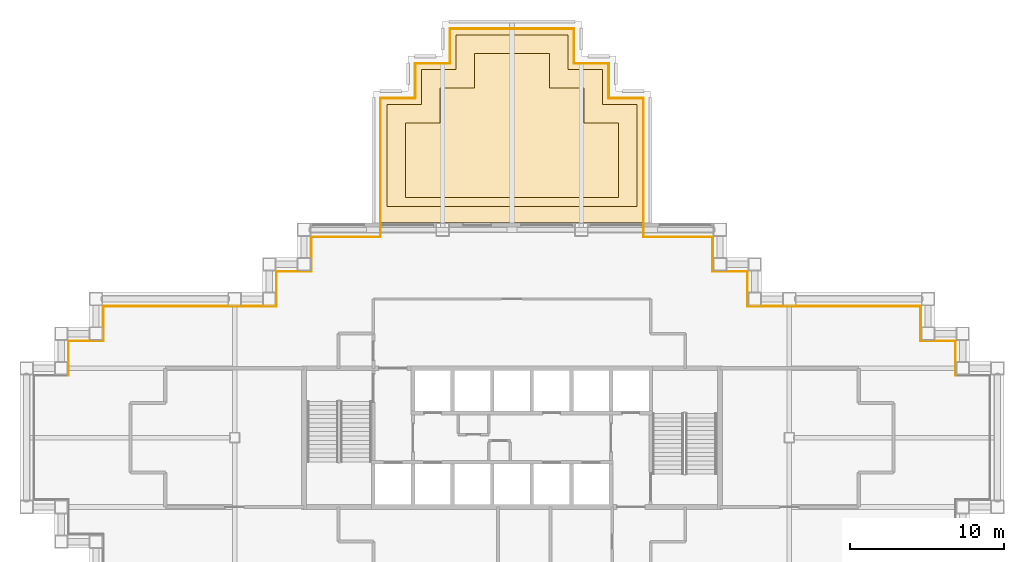
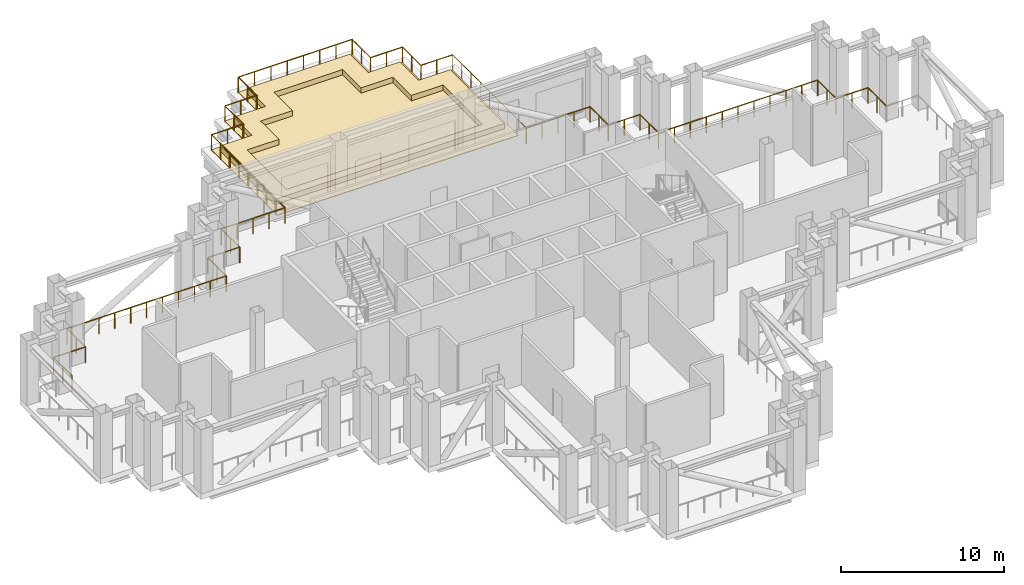
# One storey, part 10 of 10: 27 railings, 3 coverings.
"""IFC4 building model written with IfcOpenShell, lengths in metres."""

from ifc_helpers import new_model, si_unit, direction, frame, origin, origin_2d, place, context, subcontext, project, spatial, polyline, circle, outline, extrude, material, layer, layer_set, type_object, element, save


model = new_model("IFC4")

# Units and contexts
model_context = context("Model", 3, precision=1e-05, world=origin(), true_north=direction((0.0, 1.0)))
body_context = subcontext(model_context, "Body", "Model", "MODEL_VIEW")
ifc_project = project(units=[si_unit("LENGTHUNIT", "METRE"), si_unit("AREAUNIT", "SQUARE_METRE"), si_unit("VOLUMEUNIT", "CUBIC_METRE"), si_unit("PLANEANGLEUNIT", "RADIAN"), si_unit("MASSUNIT", "GRAM", prefix="KILO")], contexts=[model_context])

# Site, building, storey
site_placement = place(None, origin())
site = spatial("IfcSite", under=ifc_project, at=site_placement, CompositionType="ELEMENT")
building_placement = place(site_placement, origin())
building = spatial("IfcBuilding", under=site, at=building_placement, Name="Caravel Reach Hotel and Residences", CompositionType="ELEMENT")
storey_placement = place(building_placement, frame((0.0, 0.0, 140.39990234375)))
storey = spatial("IfcBuildingStorey", under=building, at=storey_placement, Name="L35", CompositionType="ELEMENT", Elevation=140.39990234375)

# Railings
ifc_material_1 = material(Name="Stainless steel S30408", Category="steel")
railing_type = type_object("IfcRailingType", Name="G1 Guard 1200 stainless", PredefinedType="GUARDRAIL", material=ifc_material_1)
railing_1_placement = place(storey_placement, frame((44.52490234375, 40.02490234375, 0.0)))
element("IfcRailing", 1, at=railing_1_placement, inside=storey, type_object=railing_type, Name="Guard L35 1 run 1", PredefinedType="GUARDRAIL", context=body_context, shape_type="SweptSolid", body=[
    extrude(circle(Radius=0.02392578125, at=origin_2d()), frame((0.0, 0.0, 1.17578125), z_axis=(-1.0, 0.0, 0.0), x_axis=(0.0, -1.0, 0.0)), (0.0, 0.0, 1.0), 4.5),
    extrude(circle(Radius=0.02099609375, at=origin_2d()), origin(), (0.0, 0.0, 1.0), 1.15185546875),
    extrude(circle(Radius=0.02099609375, at=origin_2d()), frame((-1.125, 0.0, 0.0)), (0.0, 0.0, 1.0), 1.15185546875),
    extrude(circle(Radius=0.02099609375, at=origin_2d()), frame((-2.25, 0.0, 0.0)), (0.0, 0.0, 1.0), 1.15185546875),
    extrude(circle(Radius=0.02099609375, at=origin_2d()), frame((-3.375, 0.0, 0.0)), (0.0, 0.0, 1.0), 1.15185546875),
    extrude(circle(Radius=0.02099609375, at=origin_2d()), frame((-4.5, 0.0, 0.0)), (0.0, 0.0, 1.0), 1.15185546875),
])
railing_2_placement = place(storey_placement, frame((40.02490234375, 40.02490234375, 0.0)))
element("IfcRailing", 2, at=railing_2_placement, inside=storey, type_object=railing_type, Name="Guard L35 1 run 2", PredefinedType="GUARDRAIL", context=body_context, shape_type="SweptSolid", body=[
    extrude(circle(Radius=0.02392578125, at=origin_2d()), frame((0.0, 0.0, 1.17578125), z_axis=(0.0, 1.0, 0.0), x_axis=(-1.0, 0.0, 0.0)), (0.0, 0.0, 1.0), 9.0),
    extrude(circle(Radius=0.02099609375, at=origin_2d()), frame((0.0, 1.125, 0.0)), (0.0, 0.0, 1.0), 1.15185546875),
    extrude(circle(Radius=0.02099609375, at=origin_2d()), frame((0.0, 2.25, 0.0)), (0.0, 0.0, 1.0), 1.15185546875),
    extrude(circle(Radius=0.02099609375, at=origin_2d()), frame((0.0, 3.375, 0.0)), (0.0, 0.0, 1.0), 1.15185546875),
    extrude(circle(Radius=0.02099609375, at=origin_2d()), frame((0.0, 4.5, 0.0)), (0.0, 0.0, 1.0), 1.15185546875),
    extrude(circle(Radius=0.02099609375, at=origin_2d()), frame((0.0, 5.625, 0.0)), (0.0, 0.0, 1.0), 1.15185546875),
    extrude(circle(Radius=0.02099609375, at=origin_2d()), frame((0.0, 6.75, 0.0)), (0.0, 0.0, 1.0), 1.15185546875),
    extrude(circle(Radius=0.02099609375, at=origin_2d()), frame((0.0, 7.875, 0.0)), (0.0, 0.0, 1.0), 1.15185546875),
    extrude(circle(Radius=0.02099609375, at=origin_2d()), frame((0.0, 9.0, 0.0)), (0.0, 0.0, 1.0), 1.15185546875),
])
railing_3_placement = place(storey_placement, frame((40.02490234375, 49.02490234375, 0.0)))
element("IfcRailing", 3, at=railing_3_placement, inside=storey, type_object=railing_type, Name="Guard L35 1 run 3", PredefinedType="GUARDRAIL", context=body_context, shape_type="SweptSolid", body=[
    extrude(circle(Radius=0.02392578125, at=origin_2d()), frame((0.0, 0.0, 1.17578125), z_axis=(-1.0, 0.0, 0.0), x_axis=(0.0, -1.0, 0.0)), (0.0, 0.0, 1.0), 2.25),
    extrude(circle(Radius=0.02099609375, at=origin_2d()), frame((-1.125, 0.0, 0.0)), (0.0, 0.0, 1.0), 1.15185546875),
    extrude(circle(Radius=0.02099609375, at=origin_2d()), frame((-2.25, 0.0, 0.0)), (0.0, 0.0, 1.0), 1.15185546875),
])
railing_4_placement = place(storey_placement, frame((37.77490234375, 49.02490234375, 0.0)))
element("IfcRailing", 4, at=railing_4_placement, inside=storey, type_object=railing_type, Name="Guard L35 1 run 4", PredefinedType="GUARDRAIL", context=body_context, shape_type="SweptSolid", body=[
    extrude(circle(Radius=0.02392578125, at=origin_2d()), frame((0.0, 0.0, 1.17578125), z_axis=(0.0, 1.0, 0.0), x_axis=(-1.0, 0.0, 0.0)), (0.0, 0.0, 1.0), 2.25),
    extrude(circle(Radius=0.02099609375, at=origin_2d()), frame((0.0, 1.125, 0.0)), (0.0, 0.0, 1.0), 1.15185546875),
    extrude(circle(Radius=0.02099609375, at=origin_2d()), frame((0.0, 2.25, 0.0)), (0.0, 0.0, 1.0), 1.15185546875),
])
railing_5_placement = place(storey_placement, frame((37.77490234375, 51.27490234375, 0.0)))
element("IfcRailing", 5, at=railing_5_placement, inside=storey, type_object=railing_type, Name="Guard L35 1 run 5", PredefinedType="GUARDRAIL", context=body_context, shape_type="SweptSolid", body=[
    extrude(circle(Radius=0.02392578125, at=origin_2d()), frame((0.0, 0.0, 1.17578125), z_axis=(-1.0, 0.0, 0.0), x_axis=(0.0, -1.0, 0.0)), (0.0, 0.0, 1.0), 2.25),
    extrude(circle(Radius=0.02099609375, at=origin_2d()), frame((-1.125, 0.0, 0.0)), (0.0, 0.0, 1.0), 1.15185546875),
    extrude(circle(Radius=0.02099609375, at=origin_2d()), frame((-2.25, 0.0, 0.0)), (0.0, 0.0, 1.0), 1.15185546875),
])
railing_6_placement = place(storey_placement, frame((35.52490234375, 51.27490234375, 0.0)))
element("IfcRailing", 6, at=railing_6_placement, inside=storey, type_object=railing_type, Name="Guard L35 1 run 6", PredefinedType="GUARDRAIL", context=body_context, shape_type="SweptSolid", body=[
    extrude(circle(Radius=0.02392578125, at=origin_2d()), frame((0.0, 0.0, 1.17578125), z_axis=(0.0, 1.0, 0.0), x_axis=(-1.0, 0.0, 0.0)), (0.0, 0.0, 1.0), 2.25),
    extrude(circle(Radius=0.02099609375, at=origin_2d()), frame((0.0, 1.125, 0.0)), (0.0, 0.0, 1.0), 1.15185546875),
    extrude(circle(Radius=0.02099609375, at=origin_2d()), frame((0.0, 2.25, 0.0)), (0.0, 0.0, 1.0), 1.15185546875),
])
railing_7_placement = place(storey_placement, frame((35.52490234375, 53.52490234375, 0.0)))
element("IfcRailing", 7, at=railing_7_placement, inside=storey, type_object=railing_type, Name="Guard L35 1 run 7", PredefinedType="GUARDRAIL", context=body_context, shape_type="SweptSolid", body=[
    extrude(circle(Radius=0.02392578125, at=origin_2d()), frame((0.0, 0.0, 1.17578125), z_axis=(-1.0, 0.0, 0.0), x_axis=(0.0, -1.0, 0.0)), (0.0, 0.0, 1.0), 8.0498046875),
    extrude(circle(Radius=0.02099609375, at=origin_2d()), frame((-1.14990234375, 0.0, 0.0)), (0.0, 0.0, 1.0), 1.15185546875),
    extrude(circle(Radius=0.02099609375, at=origin_2d()), frame((-2.300048828125, 0.0, 0.0)), (0.0, 0.0, 1.0), 1.15185546875),
    extrude(circle(Radius=0.02099609375, at=origin_2d()), frame((-3.449951171875, 0.0, 0.0)), (0.0, 0.0, 1.0), 1.15185546875),
    extrude(circle(Radius=0.02099609375, at=origin_2d()), frame((-4.599853515625, 0.0, 0.0)), (0.0, 0.0, 1.0), 1.15185546875),
    extrude(circle(Radius=0.02099609375, at=origin_2d()), frame((-5.749755859375, 0.0, 0.0)), (0.0, 0.0, 1.0), 1.15185546875),
    extrude(circle(Radius=0.02099609375, at=origin_2d()), frame((-6.89990234375, 0.0, 0.0)), (0.0, 0.0, 1.0), 1.15185546875),
    extrude(circle(Radius=0.02099609375, at=origin_2d()), frame((-8.0498046875, 0.0, 0.0)), (0.0, 0.0, 1.0), 1.15185546875),
])
railing_8_placement = place(storey_placement, frame((27.47509765625, 53.52490234375, 0.0)))
element("IfcRailing", 8, at=railing_8_placement, inside=storey, type_object=railing_type, Name="Guard L35 1 run 8", PredefinedType="GUARDRAIL", context=body_context, shape_type="SweptSolid", body=[
    extrude(circle(Radius=0.02392578125, at=origin_2d()), frame((0.0, 0.0, 1.17578125), z_axis=(0.0, -1.0, 0.0), x_axis=(1.0, 0.0, 0.0)), (0.0, 0.0, 1.0), 2.25),
    extrude(circle(Radius=0.02099609375, at=origin_2d()), frame((0.0, -1.125, 0.0)), (0.0, 0.0, 1.0), 1.15185546875),
    extrude(circle(Radius=0.02099609375, at=origin_2d()), frame((0.0, -2.25, 0.0)), (0.0, 0.0, 1.0), 1.15185546875),
])
railing_9_placement = place(storey_placement, frame((27.47509765625, 51.27490234375, 0.0)))
element("IfcRailing", 9, at=railing_9_placement, inside=storey, type_object=railing_type, Name="Guard L35 1 run 9", PredefinedType="GUARDRAIL", context=body_context, shape_type="SweptSolid", body=[
    extrude(circle(Radius=0.02392578125, at=origin_2d()), frame((0.0, 0.0, 1.17578125), z_axis=(-1.0, 0.0, 0.0), x_axis=(0.0, -1.0, 0.0)), (0.0, 0.0, 1.0), 2.25),
    extrude(circle(Radius=0.02099609375, at=origin_2d()), frame((-1.125, 0.0, 0.0)), (0.0, 0.0, 1.0), 1.15185546875),
    extrude(circle(Radius=0.02099609375, at=origin_2d()), frame((-2.25, 0.0, 0.0)), (0.0, 0.0, 1.0), 1.15185546875),
])
railing_10_placement = place(storey_placement, frame((25.22509765625, 51.27490234375, 0.0)))
element("IfcRailing", 10, at=railing_10_placement, inside=storey, type_object=railing_type, Name="Guard L35 1 run 10", PredefinedType="GUARDRAIL", context=body_context, shape_type="SweptSolid", body=[
    extrude(circle(Radius=0.02392578125, at=origin_2d()), frame((0.0, 0.0, 1.17578125), z_axis=(0.0, -1.0, 0.0), x_axis=(1.0, 0.0, 0.0)), (0.0, 0.0, 1.0), 2.25),
    extrude(circle(Radius=0.02099609375, at=origin_2d()), frame((0.0, -1.125, 0.0)), (0.0, 0.0, 1.0), 1.15185546875),
    extrude(circle(Radius=0.02099609375, at=origin_2d()), frame((0.0, -2.25, 0.0)), (0.0, 0.0, 1.0), 1.15185546875),
])
railing_11_placement = place(storey_placement, frame((25.22509765625, 49.02490234375, 0.0)))
element("IfcRailing", 11, at=railing_11_placement, inside=storey, type_object=railing_type, Name="Guard L35 1 run 11", PredefinedType="GUARDRAIL", context=body_context, shape_type="SweptSolid", body=[
    extrude(circle(Radius=0.02392578125, at=origin_2d()), frame((0.0, 0.0, 1.17578125), z_axis=(-1.0, 0.0, 0.0), x_axis=(0.0, -1.0, 0.0)), (0.0, 0.0, 1.0), 2.25),
    extrude(circle(Radius=0.02099609375, at=origin_2d()), frame((-1.125, 0.0, 0.0)), (0.0, 0.0, 1.0), 1.15185546875),
    extrude(circle(Radius=0.02099609375, at=origin_2d()), frame((-2.25, 0.0, 0.0)), (0.0, 0.0, 1.0), 1.15185546875),
])
railing_12_placement = place(storey_placement, frame((22.97509765625, 49.02490234375, 0.0)))
element("IfcRailing", 12, at=railing_12_placement, inside=storey, type_object=railing_type, Name="Guard L35 1 run 12", PredefinedType="GUARDRAIL", context=body_context, shape_type="SweptSolid", body=[
    extrude(circle(Radius=0.02392578125, at=origin_2d()), frame((0.0, 0.0, 1.17578125), z_axis=(0.0, -1.0, 0.0), x_axis=(1.0, 0.0, 0.0)), (0.0, 0.0, 1.0), 9.0),
    extrude(circle(Radius=0.02099609375, at=origin_2d()), frame((0.0, -1.125, 0.0)), (0.0, 0.0, 1.0), 1.15185546875),
    extrude(circle(Radius=0.02099609375, at=origin_2d()), frame((0.0, -2.25, 0.0)), (0.0, 0.0, 1.0), 1.15185546875),
    extrude(circle(Radius=0.02099609375, at=origin_2d()), frame((0.0, -3.375, 0.0)), (0.0, 0.0, 1.0), 1.15185546875),
    extrude(circle(Radius=0.02099609375, at=origin_2d()), frame((0.0, -4.5, 0.0)), (0.0, 0.0, 1.0), 1.15185546875),
    extrude(circle(Radius=0.02099609375, at=origin_2d()), frame((0.0, -5.625, 0.0)), (0.0, 0.0, 1.0), 1.15185546875),
    extrude(circle(Radius=0.02099609375, at=origin_2d()), frame((0.0, -6.75, 0.0)), (0.0, 0.0, 1.0), 1.15185546875),
    extrude(circle(Radius=0.02099609375, at=origin_2d()), frame((0.0, -7.875, 0.0)), (0.0, 0.0, 1.0), 1.15185546875),
    extrude(circle(Radius=0.02099609375, at=origin_2d()), frame((0.0, -9.0, 0.0)), (0.0, 0.0, 1.0), 1.15185546875),
])
railing_13_placement = place(storey_placement, frame((22.97509765625, 40.02490234375, 0.0)))
element("IfcRailing", 13, at=railing_13_placement, inside=storey, type_object=railing_type, Name="Guard L35 1 run 13", PredefinedType="GUARDRAIL", context=body_context, shape_type="SweptSolid", body=[
    extrude(circle(Radius=0.02392578125, at=origin_2d()), frame((0.0, 0.0, 1.17578125), z_axis=(-1.0, 0.0, 0.0), x_axis=(0.0, -1.0, 0.0)), (0.0, 0.0, 1.0), 4.5),
    extrude(circle(Radius=0.02099609375, at=origin_2d()), frame((-1.125, 0.0, 0.0)), (0.0, 0.0, 1.0), 1.15185546875),
    extrude(circle(Radius=0.02099609375, at=origin_2d()), frame((-2.25, 0.0, 0.0)), (0.0, 0.0, 1.0), 1.15185546875),
    extrude(circle(Radius=0.02099609375, at=origin_2d()), frame((-3.375, 0.0, 0.0)), (0.0, 0.0, 1.0), 1.15185546875),
    extrude(circle(Radius=0.02099609375, at=origin_2d()), frame((-4.5, 0.0, 0.0)), (0.0, 0.0, 1.0), 1.15185546875),
])
railing_14_placement = place(storey_placement, frame((18.47509765625, 40.02490234375, 0.0)))
element("IfcRailing", 14, at=railing_14_placement, inside=storey, type_object=railing_type, Name="Guard L35 1 run 14", PredefinedType="GUARDRAIL", context=body_context, shape_type="SweptSolid", body=[
    extrude(circle(Radius=0.02392578125, at=origin_2d()), frame((0.0, 0.0, 1.17578125), z_axis=(0.0, -1.0, 0.0), x_axis=(1.0, 0.0, 0.0)), (0.0, 0.0, 1.0), 2.25),
    extrude(circle(Radius=0.02099609375, at=origin_2d()), frame((0.0, -1.125, 0.0)), (0.0, 0.0, 1.0), 1.15185546875),
    extrude(circle(Radius=0.02099609375, at=origin_2d()), frame((0.0, -2.25, 0.0)), (0.0, 0.0, 1.0), 1.15185546875),
])
railing_15_placement = place(storey_placement, frame((18.47509765625, 37.77490234375, 0.0)))
element("IfcRailing", 15, at=railing_15_placement, inside=storey, type_object=railing_type, Name="Guard L35 1 run 15", PredefinedType="GUARDRAIL", context=body_context, shape_type="SweptSolid", body=[
    extrude(circle(Radius=0.02392578125, at=origin_2d()), frame((0.0, 0.0, 1.17578125), z_axis=(-1.0, 0.0, 0.0), x_axis=(0.0, -1.0, 0.0)), (0.0, 0.0, 1.0), 2.25),
    extrude(circle(Radius=0.02099609375, at=origin_2d()), frame((-1.125, 0.0, 0.0)), (0.0, 0.0, 1.0), 1.15185546875),
    extrude(circle(Radius=0.02099609375, at=origin_2d()), frame((-2.25, 0.0, 0.0)), (0.0, 0.0, 1.0), 1.15185546875),
])
railing_16_placement = place(storey_placement, frame((16.22509765625, 37.77490234375, 0.0)))
element("IfcRailing", 16, at=railing_16_placement, inside=storey, type_object=railing_type, Name="Guard L35 1 run 16", PredefinedType="GUARDRAIL", context=body_context, shape_type="SweptSolid", body=[
    extrude(circle(Radius=0.02392578125, at=origin_2d()), frame((0.0, 0.0, 1.17578125), z_axis=(0.0, -1.0, 0.0), x_axis=(1.0, 0.0, 0.0)), (0.0, 0.0, 1.0), 2.25),
    extrude(circle(Radius=0.02099609375, at=origin_2d()), frame((0.0, -1.125, 0.0)), (0.0, 0.0, 1.0), 1.15185546875),
    extrude(circle(Radius=0.02099609375, at=origin_2d()), frame((0.0, -2.25, 0.0)), (0.0, 0.0, 1.0), 1.15185546875),
])
railing_17_placement = place(storey_placement, frame((16.22509765625, 35.52490234375, 0.0)))
element("IfcRailing", 17, at=railing_17_placement, inside=storey, type_object=railing_type, Name="Guard L35 1 run 17", PredefinedType="GUARDRAIL", context=body_context, shape_type="SweptSolid", body=[
    extrude(circle(Radius=0.02392578125, at=origin_2d()), frame((0.0, 0.0, 1.17578125), z_axis=(-1.0, 0.0, 0.0), x_axis=(0.0, -1.0, 0.0)), (0.0, 0.0, 1.0), 11.25),
    extrude(circle(Radius=0.02099609375, at=origin_2d()), frame((-1.125, 0.0, 0.0)), (0.0, 0.0, 1.0), 1.15185546875),
    extrude(circle(Radius=0.02099609375, at=origin_2d()), frame((-2.25, 0.0, 0.0)), (0.0, 0.0, 1.0), 1.15185546875),
    extrude(circle(Radius=0.02099609375, at=origin_2d()), frame((-3.375, 0.0, 0.0)), (0.0, 0.0, 1.0), 1.15185546875),
    extrude(circle(Radius=0.02099609375, at=origin_2d()), frame((-4.5, 0.0, 0.0)), (0.0, 0.0, 1.0), 1.15185546875),
    extrude(circle(Radius=0.02099609375, at=origin_2d()), frame((-5.625, 0.0, 0.0)), (0.0, 0.0, 1.0), 1.15185546875),
    extrude(circle(Radius=0.02099609375, at=origin_2d()), frame((-6.75, 0.0, 0.0)), (0.0, 0.0, 1.0), 1.15185546875),
    extrude(circle(Radius=0.02099609375, at=origin_2d()), frame((-7.875, 0.0, 0.0)), (0.0, 0.0, 1.0), 1.15185546875),
    extrude(circle(Radius=0.02099609375, at=origin_2d()), frame((-9.0, 0.0, 0.0)), (0.0, 0.0, 1.0), 1.15185546875),
    extrude(circle(Radius=0.02099609375, at=origin_2d()), frame((-10.125, 0.0, 0.0)), (0.0, 0.0, 1.0), 1.15185546875),
    extrude(circle(Radius=0.02099609375, at=origin_2d()), frame((-11.25, 0.0, 0.0)), (0.0, 0.0, 1.0), 1.15185546875),
])
railing_18_placement = place(storey_placement, frame((4.97509765625, 35.52490234375, 0.0)))
element("IfcRailing", 18, at=railing_18_placement, inside=storey, type_object=railing_type, Name="Guard L35 1 run 18", PredefinedType="GUARDRAIL", context=body_context, shape_type="SweptSolid", body=[
    extrude(circle(Radius=0.02392578125, at=origin_2d()), frame((0.0, 0.0, 1.17578125), z_axis=(0.0, -1.0, 0.0), x_axis=(1.0, 0.0, 0.0)), (0.0, 0.0, 1.0), 2.25),
    extrude(circle(Radius=0.02099609375, at=origin_2d()), frame((0.0, -1.125, 0.0)), (0.0, 0.0, 1.0), 1.15185546875),
    extrude(circle(Radius=0.02099609375, at=origin_2d()), frame((0.0, -2.25, 0.0)), (0.0, 0.0, 1.0), 1.15185546875),
])
railing_19_placement = place(storey_placement, frame((4.97509765625, 33.27490234375, 0.0)))
element("IfcRailing", 19, at=railing_19_placement, inside=storey, type_object=railing_type, Name="Guard L35 1 run 19", PredefinedType="GUARDRAIL", context=body_context, shape_type="SweptSolid", body=[
    extrude(circle(Radius=0.02392578125, at=origin_2d()), frame((0.0, 0.0, 1.17578125), z_axis=(-1.0, 0.0, 0.0), x_axis=(0.0, -1.0, 0.0)), (0.0, 0.0, 1.0), 2.25),
    extrude(circle(Radius=0.02099609375, at=origin_2d()), frame((-1.125, 0.0, 0.0)), (0.0, 0.0, 1.0), 1.15185546875),
    extrude(circle(Radius=0.02099609375, at=origin_2d()), frame((-2.25, 0.0, 0.0)), (0.0, 0.0, 1.0), 1.15185546875),
])
railing_20_placement = place(storey_placement, frame((2.72509765625, 33.27490234375, 0.0)))
element("IfcRailing", 20, at=railing_20_placement, inside=storey, type_object=railing_type, Name="Guard L35 1 run 20", PredefinedType="GUARDRAIL", context=body_context, shape_type="SweptSolid", body=[
    extrude(circle(Radius=0.02392578125, at=origin_2d()), frame((0.0, 0.0, 1.17578125), z_axis=(0.0, -1.0, 0.0), x_axis=(1.0, 0.0, 0.0)), (0.0, 0.0, 1.0), 2.25),
    extrude(circle(Radius=0.02099609375, at=origin_2d()), frame((0.0, -1.125, 0.0)), (0.0, 0.0, 1.0), 1.15185546875),
    extrude(circle(Radius=0.02099609375, at=origin_2d()), frame((0.0, -2.25, 0.0)), (0.0, 0.0, 1.0), 1.15185546875),
])
railing_21_placement = place(storey_placement, frame((60.27490234375, 31.02490234375, 0.0)))
element("IfcRailing", 21, at=railing_21_placement, inside=storey, type_object=railing_type, Name="Guard L35 1 run 54", PredefinedType="GUARDRAIL", context=body_context, shape_type="SweptSolid", body=[
    extrude(circle(Radius=0.02392578125, at=origin_2d()), frame((0.0, 0.0, 1.17578125), z_axis=(0.0, 1.0, 0.0), x_axis=(-1.0, 0.0, 0.0)), (0.0, 0.0, 1.0), 2.25),
    extrude(circle(Radius=0.02099609375, at=origin_2d()), frame((0.0, 1.125, 0.0)), (0.0, 0.0, 1.0), 1.15185546875),
    extrude(circle(Radius=0.02099609375, at=origin_2d()), frame((0.0, 2.25, 0.0)), (0.0, 0.0, 1.0), 1.15185546875),
])
railing_22_placement = place(storey_placement, frame((60.27490234375, 33.27490234375, 0.0)))
element("IfcRailing", 22, at=railing_22_placement, inside=storey, type_object=railing_type, Name="Guard L35 1 run 55", PredefinedType="GUARDRAIL", context=body_context, shape_type="SweptSolid", body=[
    extrude(circle(Radius=0.02392578125, at=origin_2d()), frame((0.0, 0.0, 1.17578125), z_axis=(-1.0, 0.0, 0.0), x_axis=(0.0, -1.0, 0.0)), (0.0, 0.0, 1.0), 2.25),
    extrude(circle(Radius=0.02099609375, at=origin_2d()), frame((-1.125, 0.0, 0.0)), (0.0, 0.0, 1.0), 1.15185546875),
    extrude(circle(Radius=0.02099609375, at=origin_2d()), frame((-2.25, 0.0, 0.0)), (0.0, 0.0, 1.0), 1.15185546875),
])
railing_23_placement = place(storey_placement, frame((58.02490234375, 33.27490234375, 0.0)))
element("IfcRailing", 23, at=railing_23_placement, inside=storey, type_object=railing_type, Name="Guard L35 1 run 56", PredefinedType="GUARDRAIL", context=body_context, shape_type="SweptSolid", body=[
    extrude(circle(Radius=0.02392578125, at=origin_2d()), frame((0.0, 0.0, 1.17578125), z_axis=(0.0, 1.0, 0.0), x_axis=(-1.0, 0.0, 0.0)), (0.0, 0.0, 1.0), 2.25),
    extrude(circle(Radius=0.02099609375, at=origin_2d()), frame((0.0, 1.125, 0.0)), (0.0, 0.0, 1.0), 1.15185546875),
    extrude(circle(Radius=0.02099609375, at=origin_2d()), frame((0.0, 2.25, 0.0)), (0.0, 0.0, 1.0), 1.15185546875),
])
railing_24_placement = place(storey_placement, frame((58.02490234375, 35.52490234375, 0.0)))
element("IfcRailing", 24, at=railing_24_placement, inside=storey, type_object=railing_type, Name="Guard L35 1 run 57", PredefinedType="GUARDRAIL", context=body_context, shape_type="SweptSolid", body=[
    extrude(circle(Radius=0.02392578125, at=origin_2d()), frame((0.0, 0.0, 1.17578125), z_axis=(-1.0, 0.0, 0.0), x_axis=(0.0, -1.0, 0.0)), (0.0, 0.0, 1.0), 11.25),
    extrude(circle(Radius=0.02099609375, at=origin_2d()), frame((-1.125, 0.0, 0.0)), (0.0, 0.0, 1.0), 1.15185546875),
    extrude(circle(Radius=0.02099609375, at=origin_2d()), frame((-2.25, 0.0, 0.0)), (0.0, 0.0, 1.0), 1.15185546875),
    extrude(circle(Radius=0.02099609375, at=origin_2d()), frame((-3.375, 0.0, 0.0)), (0.0, 0.0, 1.0), 1.15185546875),
    extrude(circle(Radius=0.02099609375, at=origin_2d()), frame((-4.5, 0.0, 0.0)), (0.0, 0.0, 1.0), 1.15185546875),
    extrude(circle(Radius=0.02099609375, at=origin_2d()), frame((-5.625, 0.0, 0.0)), (0.0, 0.0, 1.0), 1.15185546875),
    extrude(circle(Radius=0.02099609375, at=origin_2d()), frame((-6.75, 0.0, 0.0)), (0.0, 0.0, 1.0), 1.15185546875),
    extrude(circle(Radius=0.02099609375, at=origin_2d()), frame((-7.875, 0.0, 0.0)), (0.0, 0.0, 1.0), 1.15185546875),
    extrude(circle(Radius=0.02099609375, at=origin_2d()), frame((-9.0, 0.0, 0.0)), (0.0, 0.0, 1.0), 1.15185546875),
    extrude(circle(Radius=0.02099609375, at=origin_2d()), frame((-10.125, 0.0, 0.0)), (0.0, 0.0, 1.0), 1.15185546875),
    extrude(circle(Radius=0.02099609375, at=origin_2d()), frame((-11.25, 0.0, 0.0)), (0.0, 0.0, 1.0), 1.15185546875),
])
railing_25_placement = place(storey_placement, frame((46.77490234375, 35.52490234375, 0.0)))
element("IfcRailing", 25, at=railing_25_placement, inside=storey, type_object=railing_type, Name="Guard L35 1 run 58", PredefinedType="GUARDRAIL", context=body_context, shape_type="SweptSolid", body=[
    extrude(circle(Radius=0.02392578125, at=origin_2d()), frame((0.0, 0.0, 1.17578125), z_axis=(0.0, 1.0, 0.0), x_axis=(-1.0, 0.0, 0.0)), (0.0, 0.0, 1.0), 2.25),
    extrude(circle(Radius=0.02099609375, at=origin_2d()), frame((0.0, 1.125, 0.0)), (0.0, 0.0, 1.0), 1.15185546875),
    extrude(circle(Radius=0.02099609375, at=origin_2d()), frame((0.0, 2.25, 0.0)), (0.0, 0.0, 1.0), 1.15185546875),
])
railing_26_placement = place(storey_placement, frame((46.77490234375, 37.77490234375, 0.0)))
element("IfcRailing", 26, at=railing_26_placement, inside=storey, type_object=railing_type, Name="Guard L35 1 run 59", PredefinedType="GUARDRAIL", context=body_context, shape_type="SweptSolid", body=[
    extrude(circle(Radius=0.02392578125, at=origin_2d()), frame((0.0, 0.0, 1.17578125), z_axis=(-1.0, 0.0, 0.0), x_axis=(0.0, -1.0, 0.0)), (0.0, 0.0, 1.0), 2.25),
    extrude(circle(Radius=0.02099609375, at=origin_2d()), frame((-1.125, 0.0, 0.0)), (0.0, 0.0, 1.0), 1.15185546875),
    extrude(circle(Radius=0.02099609375, at=origin_2d()), frame((-2.25, 0.0, 0.0)), (0.0, 0.0, 1.0), 1.15185546875),
])
railing_27_placement = place(storey_placement, frame((44.52490234375, 37.77490234375, 0.0)))
element("IfcRailing", 27, at=railing_27_placement, inside=storey, type_object=railing_type, Name="Guard L35 1 run 60", PredefinedType="GUARDRAIL", context=body_context, shape_type="SweptSolid", body=[
    extrude(circle(Radius=0.02392578125, at=origin_2d()), frame((0.0, 0.0, 1.17578125), z_axis=(0.0, 1.0, 0.0), x_axis=(-1.0, 0.0, 0.0)), (0.0, 0.0, 1.0), 2.25),
    extrude(circle(Radius=0.02099609375, at=origin_2d()), frame((0.0, 1.125, 0.0)), (0.0, 0.0, 1.0), 1.15185546875),
])

# Coverings
ifc_material_2 = material(Name="Planting soil in aluminium planter", Category="aluminium")
covering_type_1 = type_object("IfcCoveringType", Name="PL1 Planter bed 1200", PredefinedType="USERDEFINED", material=ifc_material_2)
covering_1_placement = place(storey_placement, origin())
element("IfcCovering", 28, at=covering_1_placement, inside=storey, type_object=covering_type_1, Name="Planter N1", ObjectType="PLANTER", PredefinedType="USERDEFINED", context=body_context, shape_type="SweptSolid", body=[
    extrude(outline(polyline([(25.625, 50.875), (25.625, 48.625), (23.375, 48.625), (23.375, 42.0), (39.625, 42.0), (39.625, 48.625), (37.375, 48.625), (37.375, 50.875), (35.125, 50.875), (35.125, 53.125), (27.875, 53.125), (27.875, 50.875), (25.625, 50.875)]), holes=[polyline([(38.425048828125, 42.574951171875), (24.574951171875, 42.574951171875), (24.574951171875, 47.425048828125), (26.824951171875, 47.425048828125), (26.824951171875, 49.675048828125), (29.074951171875, 49.675048828125), (29.074951171875, 51.925048828125), (33.925048828125, 51.925048828125), (33.925048828125, 49.675048828125), (36.175048828125, 49.675048828125), (36.175048828125, 47.425048828125), (38.425048828125, 47.425048828125), (38.425048828125, 42.574951171875)])]), origin(), (0.0, 0.0, 1.0), 0.4501953125),
])
ifc_material_3 = material(Name="Porcelain paving")
ifc_layer = layer(ifc_material_3, 0.050048828125)
ifc_layer_set = layer_set([ifc_layer], Name="TF1 Terrace paving finish 50")
covering_type_2 = type_object("IfcCoveringType", Name="TF1 Terrace paving finish 50", PredefinedType="FLOORING", material=ifc_layer_set)
covering_2_placement = place(storey_placement, origin())
element("IfcCovering", 29, at=covering_2_placement, inside=storey, type_object=covering_type_2, Name="Terrace paving N1", PredefinedType="FLOORING", context=body_context, shape_type="SweptSolid", body=[
    extrude(outline(polyline([(25.22509765625, 49.02490234375), (22.97509765625, 49.02490234375), (22.97509765625, 40.97509765625), (40.02490234375, 40.97509765625), (40.02490234375, 49.02490234375), (37.77490234375, 49.02490234375), (37.77490234375, 51.27490234375), (35.52490234375, 51.27490234375), (35.52490234375, 53.52490234375), (27.47509765625, 53.52490234375), (27.47509765625, 51.27490234375), (25.22509765625, 51.27490234375), (25.22509765625, 49.02490234375)]), holes=[polyline([(25.625, 48.625), (25.625, 50.875), (27.875, 50.875), (27.875, 53.125), (35.125, 53.125), (35.125, 50.875), (37.375, 50.875), (37.375, 48.625), (39.625, 48.625), (39.625, 42.0), (23.375, 42.0), (23.375, 48.625), (25.625, 48.625)])]), origin(), (0.0, 0.0, 1.0), 0.050048828125),
])
covering_3_placement = place(storey_placement, origin())
element("IfcCovering", 30, at=covering_3_placement, inside=storey, type_object=covering_type_2, Name="Terrace paving N2", PredefinedType="FLOORING", context=body_context, shape_type="SweptSolid", body=[
    extrude(outline(polyline([(24.574951171875, 42.574951171875), (38.425048828125, 42.574951171875), (38.425048828125, 47.425048828125), (36.175048828125, 47.425048828125), (36.175048828125, 49.675048828125), (33.925048828125, 49.675048828125), (33.925048828125, 51.925048828125), (29.074951171875, 51.925048828125), (29.074951171875, 49.675048828125), (26.824951171875, 49.675048828125), (26.824951171875, 47.425048828125), (24.574951171875, 47.425048828125), (24.574951171875, 42.574951171875)])), origin(), (0.0, 0.0, 1.0), 0.050048828125),
])

save(model, "model.ifc")
